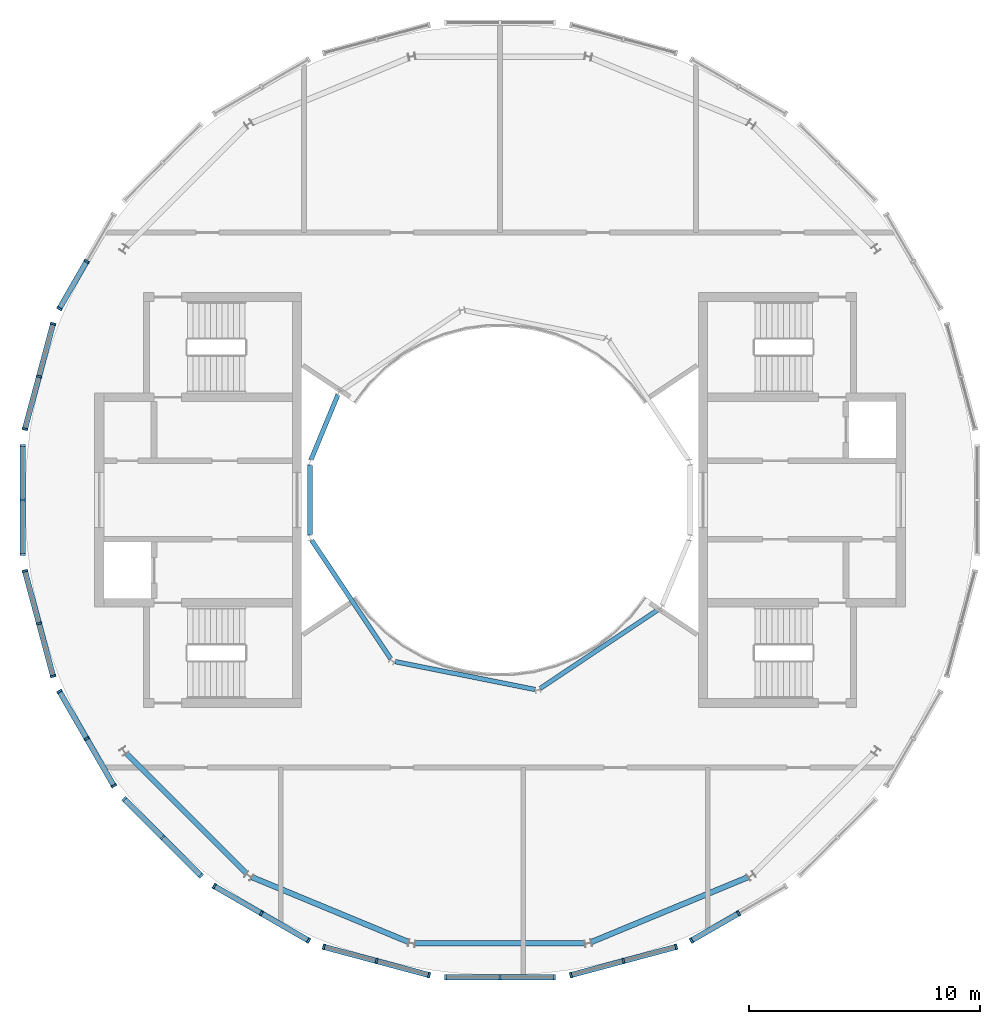
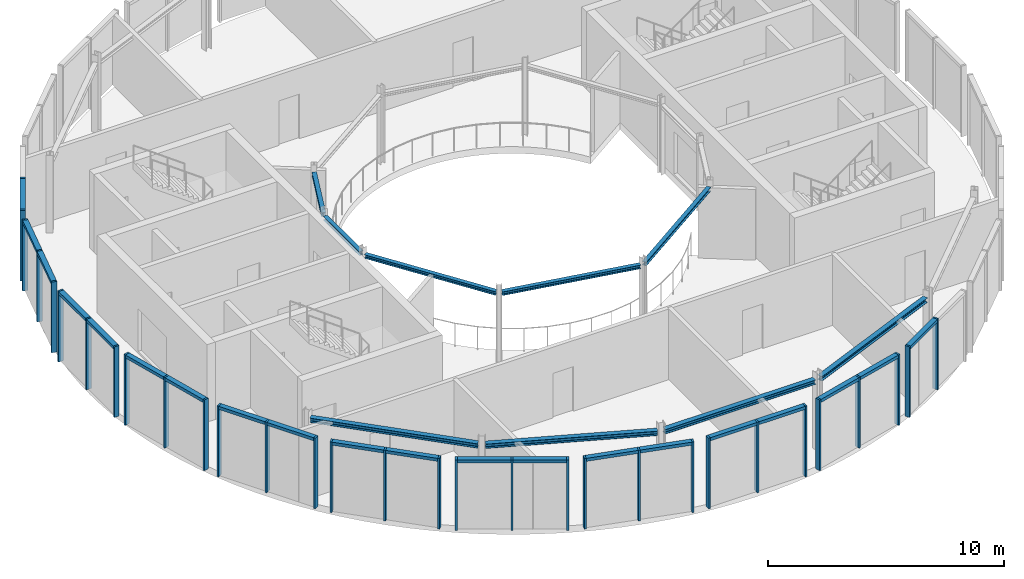
# One storey, part 4 of 12: 51 members, 9 beams, 11 elements without a shape of their own.
"""IFC4 building model written with IfcOpenShell, lengths in metres."""

from ifc_helpers import new_model, si_unit, direction, frame, origin, origin_2d, place, context, subcontext, project, spatial, rectangle, i_section, extrude, material, layer, layer_set, material_profile, profile_set, type_object, element, aggregate, save


model = new_model("IFC4")

# Units and contexts
model_context = context("Model", 3, precision=1e-05, world=origin(), true_north=direction((0.0, 1.0)))
body_context = subcontext(model_context, "Body", "Model", "MODEL_VIEW")
ifc_project = project(units=[si_unit("LENGTHUNIT", "METRE"), si_unit("AREAUNIT", "SQUARE_METRE"), si_unit("VOLUMEUNIT", "CUBIC_METRE"), si_unit("PLANEANGLEUNIT", "RADIAN"), si_unit("MASSUNIT", "GRAM", prefix="KILO")], contexts=[model_context])

# Site, building, storey
site_placement = place(None, origin())
site = spatial("IfcSite", under=ifc_project, at=site_placement, CompositionType="ELEMENT")
building_placement = place(site_placement, origin())
building = spatial("IfcBuilding", under=site, at=building_placement, Name="Maasbend Ring Residences", CompositionType="ELEMENT")
storey_placement = place(building_placement, frame((0.0, 0.0, 261.5)))
storey = spatial("IfcBuildingStorey", under=building, at=storey_placement, Name="L75", CompositionType="ELEMENT", Elevation=261.5)

# Curtain wall, members
ifc_material_1 = material(Name="Aluminium and clear glass", Category="aluminium")
ifc_layer = layer(ifc_material_1, 0.239990234375)
ifc_layer_set = layer_set([ifc_layer], Name="CW-CN")
curtain_wall_type = type_object("IfcCurtainWallType", Name="CW-CN", PredefinedType="NOTDEFINED", material=ifc_layer_set)
curtain_wall_1_placement = place(storey_placement, origin())
curtain_wall_1 = element("IfcCurtainWall", 1, at=curtain_wall_1_placement, inside=storey, type_object=curtain_wall_type, Name="Crown drum glazing 10 L75", PredefinedType="NOTDEFINED")
ifc_material_2 = material(Name="Aluminium 6063-T6", Category="aluminium")
ifc_material_profile_1 = material_profile(ifc_material_2, rectangle(XDim=0.239990234375, YDim=0.090087890625, at=origin_2d()), Name="AL 240x90")
ifc_profile_set_1 = profile_set([ifc_material_profile_1], Name="Aluminium 6063-T6")
member_type_1 = type_object("IfcMemberType", Name="CWM-CN", PredefinedType="MULLION", material=ifc_profile_set_1)
member_1_placement = place(storey_placement, frame((-17.91943359375, 10.345703125, 0.0), z_axis=(0.0, 0.0, 1.0), x_axis=(0.866025403784, -0.5, 0.0)))
member_1 = element("IfcMember", 2, at=member_1_placement, type_object=member_type_1, Name="Mullion crown cone", PredefinedType="MULLION", context=body_context, shape_type="SweptSolid", body=[
    extrude(rectangle(XDim=0.239990234375, YDim=0.090087890625, at=origin_2d()), origin(), (0.0, 0.0, 1.0), 3.64990234375),
])
member_2_placement = place(storey_placement, frame((-19.098876953125, 8.302734375, 0.0), z_axis=(0.0, 0.0, 1.0), x_axis=(0.866025403784, -0.5, 0.0)))
member_2 = element("IfcMember", 3, at=member_2_placement, type_object=member_type_1, Name="Mullion crown cone", PredefinedType="MULLION", context=body_context, shape_type="SweptSolid", body=[
    extrude(rectangle(XDim=0.239990234375, YDim=0.090087890625, at=origin_2d()), origin(), (0.0, 0.0, 1.0), 3.64990234375),
])

curtain_wall_2_placement = place(storey_placement, origin())
curtain_wall_2 = element("IfcCurtainWall", 4, at=curtain_wall_2_placement, inside=storey, type_object=curtain_wall_type, Name="Crown drum glazing 11 L75", PredefinedType="NOTDEFINED")
member_3_placement = place(storey_placement, frame((-19.375732421875, 7.634033203125, 0.0), z_axis=(0.0, 0.0, 1.0), x_axis=(0.965925826289, -0.258819045103, 0.0)))
member_3 = element("IfcMember", 5, at=member_3_placement, type_object=member_type_1, Name="Mullion crown cone", PredefinedType="MULLION", context=body_context, shape_type="SweptSolid", body=[
    extrude(rectangle(XDim=0.239990234375, YDim=0.090087890625, at=origin_2d()), origin(), (0.0, 0.0, 1.0), 3.64990234375),
])
member_4_placement = place(storey_placement, frame((-19.986328125, 5.355224609375, 0.0), z_axis=(0.0, 0.0, 1.0), x_axis=(0.965925826289, -0.258819045103, 0.0)))
member_4 = element("IfcMember", 6, at=member_4_placement, type_object=member_type_1, Name="Mullion crown cone", PredefinedType="MULLION", context=body_context, shape_type="SweptSolid", body=[
    extrude(rectangle(XDim=0.239990234375, YDim=0.090087890625, at=origin_2d()), origin(), (0.0, 0.0, 1.0), 3.64990234375),
])
member_5_placement = place(storey_placement, frame((-20.596923828125, 3.07666015625, 0.0), z_axis=(0.0, 0.0, 1.0), x_axis=(0.965925826289, -0.258819045103, 0.0)))
member_5 = element("IfcMember", 7, at=member_5_placement, type_object=member_type_1, Name="Mullion crown cone", PredefinedType="MULLION", context=body_context, shape_type="SweptSolid", body=[
    extrude(rectangle(XDim=0.239990234375, YDim=0.090087890625, at=origin_2d()), origin(), (0.0, 0.0, 1.0), 3.64990234375),
])

curtain_wall_3_placement = place(storey_placement, origin())
curtain_wall_3 = element("IfcCurtainWall", 8, at=curtain_wall_3_placement, inside=storey, type_object=curtain_wall_type, Name="Crown drum glazing 12 L75", PredefinedType="NOTDEFINED")
member_6_placement = place(storey_placement, frame((-20.69140625, 2.359130859375, 0.0), z_axis=(0.0, 0.0, 1.0), x_axis=(1.0, 0.0, 0.0)))
member_6 = element("IfcMember", 9, at=member_6_placement, type_object=member_type_1, Name="Mullion crown cone", PredefinedType="MULLION", context=body_context, shape_type="SweptSolid", body=[
    extrude(rectangle(XDim=0.239990234375, YDim=0.090087890625, at=origin_2d()), origin(), (0.0, 0.0, 1.0), 3.64990234375),
])
member_7_placement = place(storey_placement, frame((-20.69140625, 0.0, 0.0), z_axis=(0.0, 0.0, 1.0), x_axis=(1.0, 0.0, 0.0)))
member_7 = element("IfcMember", 10, at=member_7_placement, type_object=member_type_1, Name="Mullion crown cone", PredefinedType="MULLION", context=body_context, shape_type="SweptSolid", body=[
    extrude(rectangle(XDim=0.239990234375, YDim=0.090087890625, at=origin_2d()), origin(), (0.0, 0.0, 1.0), 3.64990234375),
])
member_8_placement = place(storey_placement, frame((-20.69140625, -2.359130859375, 0.0), z_axis=(0.0, 0.0, 1.0), x_axis=(1.0, 0.0, 0.0)))
member_8 = element("IfcMember", 11, at=member_8_placement, type_object=member_type_1, Name="Mullion crown cone", PredefinedType="MULLION", context=body_context, shape_type="SweptSolid", body=[
    extrude(rectangle(XDim=0.239990234375, YDim=0.090087890625, at=origin_2d()), origin(), (0.0, 0.0, 1.0), 3.64990234375),
])

curtain_wall_4_placement = place(storey_placement, origin())
curtain_wall_4 = element("IfcCurtainWall", 12, at=curtain_wall_4_placement, inside=storey, type_object=curtain_wall_type, Name="Crown drum glazing 13 L75", PredefinedType="NOTDEFINED")
member_9_placement = place(storey_placement, frame((-20.596923828125, -3.07666015625, 0.0), z_axis=(0.0, 0.0, 1.0), x_axis=(0.965925826289, 0.258819045103, 0.0)))
member_9 = element("IfcMember", 13, at=member_9_placement, type_object=member_type_1, Name="Mullion crown cone", PredefinedType="MULLION", context=body_context, shape_type="SweptSolid", body=[
    extrude(rectangle(XDim=0.239990234375, YDim=0.090087890625, at=origin_2d()), origin(), (0.0, 0.0, 1.0), 3.64990234375),
])
member_10_placement = place(storey_placement, frame((-19.986328125, -5.355224609375, 0.0), z_axis=(0.0, 0.0, 1.0), x_axis=(0.965925826289, 0.258819045103, 0.0)))
member_10 = element("IfcMember", 14, at=member_10_placement, type_object=member_type_1, Name="Mullion crown cone", PredefinedType="MULLION", context=body_context, shape_type="SweptSolid", body=[
    extrude(rectangle(XDim=0.239990234375, YDim=0.090087890625, at=origin_2d()), origin(), (0.0, 0.0, 1.0), 3.64990234375),
])
member_11_placement = place(storey_placement, frame((-19.375732421875, -7.634033203125, 0.0), z_axis=(0.0, 0.0, 1.0), x_axis=(0.965925826289, 0.258819045103, 0.0)))
member_11 = element("IfcMember", 15, at=member_11_placement, type_object=member_type_1, Name="Mullion crown cone", PredefinedType="MULLION", context=body_context, shape_type="SweptSolid", body=[
    extrude(rectangle(XDim=0.239990234375, YDim=0.090087890625, at=origin_2d()), origin(), (0.0, 0.0, 1.0), 3.64990234375),
])

curtain_wall_5_placement = place(storey_placement, origin())
curtain_wall_5 = element("IfcCurtainWall", 16, at=curtain_wall_5_placement, inside=storey, type_object=curtain_wall_type, Name="Crown drum glazing 14 L75", PredefinedType="NOTDEFINED")
member_12_placement = place(storey_placement, frame((-19.098876953125, -8.302734375, 0.0), z_axis=(0.0, 0.0, 1.0), x_axis=(0.866025403784, 0.5, 0.0)))
member_12 = element("IfcMember", 17, at=member_12_placement, type_object=member_type_1, Name="Mullion crown cone", PredefinedType="MULLION", context=body_context, shape_type="SweptSolid", body=[
    extrude(rectangle(XDim=0.239990234375, YDim=0.090087890625, at=origin_2d()), origin(), (0.0, 0.0, 1.0), 3.64990234375),
])
member_13_placement = place(storey_placement, frame((-17.91943359375, -10.345703125, 0.0), z_axis=(0.0, 0.0, 1.0), x_axis=(0.866025403784, 0.5, 0.0)))
member_13 = element("IfcMember", 18, at=member_13_placement, type_object=member_type_1, Name="Mullion crown cone", PredefinedType="MULLION", context=body_context, shape_type="SweptSolid", body=[
    extrude(rectangle(XDim=0.239990234375, YDim=0.090087890625, at=origin_2d()), origin(), (0.0, 0.0, 1.0), 3.64990234375),
])
member_14_placement = place(storey_placement, frame((-16.73974609375, -12.388671875, 0.0), z_axis=(0.0, 0.0, 1.0), x_axis=(0.866025403784, 0.5, 0.0)))
member_14 = element("IfcMember", 19, at=member_14_placement, type_object=member_type_1, Name="Mullion crown cone", PredefinedType="MULLION", context=body_context, shape_type="SweptSolid", body=[
    extrude(rectangle(XDim=0.239990234375, YDim=0.090087890625, at=origin_2d()), origin(), (0.0, 0.0, 1.0), 3.64990234375),
])

curtain_wall_6_placement = place(storey_placement, origin())
curtain_wall_6 = element("IfcCurtainWall", 20, at=curtain_wall_6_placement, inside=storey, type_object=curtain_wall_type, Name="Crown drum glazing 15 L75", PredefinedType="NOTDEFINED")
member_15_placement = place(storey_placement, frame((-16.299072265625, -12.962890625, 0.0), z_axis=(0.0, 0.0, 1.0), x_axis=(0.707106781187, 0.707106781187, 0.0)))
member_15 = element("IfcMember", 21, at=member_15_placement, type_object=member_type_1, Name="Mullion crown cone", PredefinedType="MULLION", context=body_context, shape_type="SweptSolid", body=[
    extrude(rectangle(XDim=0.239990234375, YDim=0.090087890625, at=origin_2d()), origin(), (0.0, 0.0, 1.0), 3.64990234375),
])
member_16_placement = place(storey_placement, frame((-14.631103515625, -14.631103515625, 0.0), z_axis=(0.0, 0.0, 1.0), x_axis=(0.707106781187, 0.707106781187, 0.0)))
member_16 = element("IfcMember", 22, at=member_16_placement, type_object=member_type_1, Name="Mullion crown cone", PredefinedType="MULLION", context=body_context, shape_type="SweptSolid", body=[
    extrude(rectangle(XDim=0.239990234375, YDim=0.090087890625, at=origin_2d()), origin(), (0.0, 0.0, 1.0), 3.64990234375),
])
member_17_placement = place(storey_placement, frame((-12.962890625, -16.299072265625, 0.0), z_axis=(0.0, 0.0, 1.0), x_axis=(0.707106781187, 0.707106781187, 0.0)))
member_17 = element("IfcMember", 23, at=member_17_placement, type_object=member_type_1, Name="Mullion crown cone", PredefinedType="MULLION", context=body_context, shape_type="SweptSolid", body=[
    extrude(rectangle(XDim=0.239990234375, YDim=0.090087890625, at=origin_2d()), origin(), (0.0, 0.0, 1.0), 3.64990234375),
])

curtain_wall_7_placement = place(storey_placement, origin())
curtain_wall_7 = element("IfcCurtainWall", 24, at=curtain_wall_7_placement, inside=storey, type_object=curtain_wall_type, Name="Crown drum glazing 16 L75", PredefinedType="NOTDEFINED")
member_18_placement = place(storey_placement, frame((-12.388671875, -16.73974609375, 0.0), z_axis=(0.0, 0.0, 1.0), x_axis=(0.5, 0.866025403784, 0.0)))
member_18 = element("IfcMember", 25, at=member_18_placement, type_object=member_type_1, Name="Mullion crown cone", PredefinedType="MULLION", context=body_context, shape_type="SweptSolid", body=[
    extrude(rectangle(XDim=0.239990234375, YDim=0.090087890625, at=origin_2d()), origin(), (0.0, 0.0, 1.0), 3.64990234375),
])
member_19_placement = place(storey_placement, frame((-10.345703125, -17.91943359375, 0.0), z_axis=(0.0, 0.0, 1.0), x_axis=(0.5, 0.866025403784, 0.0)))
member_19 = element("IfcMember", 26, at=member_19_placement, type_object=member_type_1, Name="Mullion crown cone", PredefinedType="MULLION", context=body_context, shape_type="SweptSolid", body=[
    extrude(rectangle(XDim=0.239990234375, YDim=0.090087890625, at=origin_2d()), origin(), (0.0, 0.0, 1.0), 3.64990234375),
])
member_20_placement = place(storey_placement, frame((-8.302734375, -19.098876953125, 0.0), z_axis=(0.0, 0.0, 1.0), x_axis=(0.5, 0.866025403784, 0.0)))
member_20 = element("IfcMember", 27, at=member_20_placement, type_object=member_type_1, Name="Mullion crown cone", PredefinedType="MULLION", context=body_context, shape_type="SweptSolid", body=[
    extrude(rectangle(XDim=0.239990234375, YDim=0.090087890625, at=origin_2d()), origin(), (0.0, 0.0, 1.0), 3.64990234375),
])

curtain_wall_8_placement = place(storey_placement, origin())
curtain_wall_8 = element("IfcCurtainWall", 28, at=curtain_wall_8_placement, inside=storey, type_object=curtain_wall_type, Name="Crown drum glazing 17 L75", PredefinedType="NOTDEFINED")
member_21_placement = place(storey_placement, frame((-7.634033203125, -19.375732421875, 0.0), z_axis=(0.0, 0.0, 1.0), x_axis=(0.258819045103, 0.965925826289, 0.0)))
member_21 = element("IfcMember", 29, at=member_21_placement, type_object=member_type_1, Name="Mullion crown cone", PredefinedType="MULLION", context=body_context, shape_type="SweptSolid", body=[
    extrude(rectangle(XDim=0.239990234375, YDim=0.090087890625, at=origin_2d()), origin(), (0.0, 0.0, 1.0), 3.64990234375),
])
member_22_placement = place(storey_placement, frame((-5.355224609375, -19.986328125, 0.0), z_axis=(0.0, 0.0, 1.0), x_axis=(0.258819045103, 0.965925826289, 0.0)))
member_22 = element("IfcMember", 30, at=member_22_placement, type_object=member_type_1, Name="Mullion crown cone", PredefinedType="MULLION", context=body_context, shape_type="SweptSolid", body=[
    extrude(rectangle(XDim=0.239990234375, YDim=0.090087890625, at=origin_2d()), origin(), (0.0, 0.0, 1.0), 3.64990234375),
])
member_23_placement = place(storey_placement, frame((-3.07666015625, -20.596923828125, 0.0), z_axis=(0.0, 0.0, 1.0), x_axis=(0.258819045103, 0.965925826289, 0.0)))
member_23 = element("IfcMember", 31, at=member_23_placement, type_object=member_type_1, Name="Mullion crown cone", PredefinedType="MULLION", context=body_context, shape_type="SweptSolid", body=[
    extrude(rectangle(XDim=0.239990234375, YDim=0.090087890625, at=origin_2d()), origin(), (0.0, 0.0, 1.0), 3.64990234375),
])

curtain_wall_9_placement = place(storey_placement, origin())
curtain_wall_9 = element("IfcCurtainWall", 32, at=curtain_wall_9_placement, inside=storey, type_object=curtain_wall_type, Name="Crown drum glazing 18 L75", PredefinedType="NOTDEFINED")
member_24_placement = place(storey_placement, frame((-2.359130859375, -20.69140625, 0.0), z_axis=(0.0, 0.0, 1.0), x_axis=(0.0, 1.0, 0.0)))
member_24 = element("IfcMember", 33, at=member_24_placement, type_object=member_type_1, Name="Mullion crown cone", PredefinedType="MULLION", context=body_context, shape_type="SweptSolid", body=[
    extrude(rectangle(XDim=0.239990234375, YDim=0.090087890625, at=origin_2d()), origin(), (0.0, 0.0, 1.0), 3.64990234375),
])
member_25_placement = place(storey_placement, frame((0.0, -20.69140625, 0.0), z_axis=(0.0, 0.0, 1.0), x_axis=(0.0, 1.0, 0.0)))
member_25 = element("IfcMember", 34, at=member_25_placement, type_object=member_type_1, Name="Mullion crown cone", PredefinedType="MULLION", context=body_context, shape_type="SweptSolid", body=[
    extrude(rectangle(XDim=0.239990234375, YDim=0.090087890625, at=origin_2d()), origin(), (0.0, 0.0, 1.0), 3.64990234375),
])
member_26_placement = place(storey_placement, frame((2.359130859375, -20.69140625, 0.0), z_axis=(0.0, 0.0, 1.0), x_axis=(0.0, 1.0, 0.0)))
member_26 = element("IfcMember", 35, at=member_26_placement, type_object=member_type_1, Name="Mullion crown cone", PredefinedType="MULLION", context=body_context, shape_type="SweptSolid", body=[
    extrude(rectangle(XDim=0.239990234375, YDim=0.090087890625, at=origin_2d()), origin(), (0.0, 0.0, 1.0), 3.64990234375),
])

curtain_wall_10_placement = place(storey_placement, origin())
curtain_wall_10 = element("IfcCurtainWall", 36, at=curtain_wall_10_placement, inside=storey, type_object=curtain_wall_type, Name="Crown drum glazing 19 L75", PredefinedType="NOTDEFINED")
member_27_placement = place(storey_placement, frame((3.07666015625, -20.596923828125, 0.0), z_axis=(0.0, 0.0, 1.0), x_axis=(-0.258819045103, 0.965925826289, 0.0)))
member_27 = element("IfcMember", 37, at=member_27_placement, type_object=member_type_1, Name="Mullion crown cone", PredefinedType="MULLION", context=body_context, shape_type="SweptSolid", body=[
    extrude(rectangle(XDim=0.239990234375, YDim=0.090087890625, at=origin_2d()), origin(), (0.0, 0.0, 1.0), 3.64990234375),
])
member_28_placement = place(storey_placement, frame((5.355224609375, -19.986328125, 0.0), z_axis=(0.0, 0.0, 1.0), x_axis=(-0.258819045103, 0.965925826289, 0.0)))
member_28 = element("IfcMember", 38, at=member_28_placement, type_object=member_type_1, Name="Mullion crown cone", PredefinedType="MULLION", context=body_context, shape_type="SweptSolid", body=[
    extrude(rectangle(XDim=0.239990234375, YDim=0.090087890625, at=origin_2d()), origin(), (0.0, 0.0, 1.0), 3.64990234375),
])
member_29_placement = place(storey_placement, frame((7.634033203125, -19.375732421875, 0.0), z_axis=(0.0, 0.0, 1.0), x_axis=(-0.258819045103, 0.965925826289, 0.0)))
member_29 = element("IfcMember", 39, at=member_29_placement, type_object=member_type_1, Name="Mullion crown cone", PredefinedType="MULLION", context=body_context, shape_type="SweptSolid", body=[
    extrude(rectangle(XDim=0.239990234375, YDim=0.090087890625, at=origin_2d()), origin(), (0.0, 0.0, 1.0), 3.64990234375),
])

curtain_wall_11_placement = place(storey_placement, origin())
curtain_wall_11 = element("IfcCurtainWall", 40, at=curtain_wall_11_placement, inside=storey, type_object=curtain_wall_type, Name="Crown drum glazing 20 L75", PredefinedType="NOTDEFINED")
member_30_placement = place(storey_placement, frame((8.302734375, -19.098876953125, 0.0), z_axis=(0.0, 0.0, 1.0), x_axis=(-0.5, 0.866025403784, 0.0)))
member_30 = element("IfcMember", 41, at=member_30_placement, type_object=member_type_1, Name="Mullion crown cone", PredefinedType="MULLION", context=body_context, shape_type="SweptSolid", body=[
    extrude(rectangle(XDim=0.239990234375, YDim=0.090087890625, at=origin_2d()), origin(), (0.0, 0.0, 1.0), 3.64990234375),
])
member_31_placement = place(storey_placement, frame((10.345703125, -17.91943359375, 0.0), z_axis=(0.0, 0.0, 1.0), x_axis=(-0.5, 0.866025403784, 0.0)))
member_31 = element("IfcMember", 42, at=member_31_placement, type_object=member_type_1, Name="Mullion crown cone", PredefinedType="MULLION", context=body_context, shape_type="SweptSolid", body=[
    extrude(rectangle(XDim=0.239990234375, YDim=0.090087890625, at=origin_2d()), origin(), (0.0, 0.0, 1.0), 3.64990234375),
])

# Member
ifc_material_3 = material(Name="Aluminium 6063-T6", Category="aluminium")
ifc_material_profile_2 = material_profile(ifc_material_3, rectangle(XDim=0.239990234375, YDim=0.159912109375, at=origin_2d()), Name="AL 240x160")
ifc_profile_set_2 = profile_set([ifc_material_profile_2], Name="Aluminium 6063-T6")
member_type_2 = type_object("IfcMemberType", Name="CWT-CN", PredefinedType="USERDEFINED", material=ifc_profile_set_2)
member_32_placement = place(storey_placement, frame((-17.94189453125, 10.306640625, 3.570068359375), z_axis=(-0.49999255039, -0.866029704776, 0.0), x_axis=(0.866029704776, -0.49999255039, 0.0)))
member_32 = element("IfcMember", 43, at=member_32_placement, type_object=member_type_2, Name="Transom crown cone", ObjectType="TRANSOM", PredefinedType="USERDEFINED", context=body_context, shape_type="SweptSolid", body=[
    extrude(rectangle(XDim=0.239990234375, YDim=0.159912109375, at=origin_2d()), origin(), (0.0, 0.0, 1.0), 2.26904296875),
])

aggregate(curtain_wall_1, [member_1, member_2, member_32])

member_33_placement = place(storey_placement, frame((-19.387451171875, 7.590576171875, 3.570068359375), z_axis=(-0.258881296667, -0.965909143883, 0.0), x_axis=(0.965909143883, -0.258881296667, 0.0)))
member_33 = element("IfcMember", 44, at=member_33_placement, type_object=member_type_2, Name="Transom crown cone", ObjectType="TRANSOM", PredefinedType="USERDEFINED", context=body_context, shape_type="SweptSolid", body=[
    extrude(rectangle(XDim=0.239990234375, YDim=0.159912109375, at=origin_2d()), origin(), (0.0, 0.0, 1.0), 2.26904296875),
])

member_34_placement = place(storey_placement, frame((-19.998046875, 5.311767578125, 3.570068359375), z_axis=(-0.258881296667, -0.965909143883, 0.0), x_axis=(0.965909143883, -0.258881296667, 0.0)))
member_34 = element("IfcMember", 45, at=member_34_placement, type_object=member_type_2, Name="Transom crown cone", ObjectType="TRANSOM", PredefinedType="USERDEFINED", context=body_context, shape_type="SweptSolid", body=[
    extrude(rectangle(XDim=0.239990234375, YDim=0.159912109375, at=origin_2d()), origin(), (0.0, 0.0, 1.0), 2.26904296875),
])

aggregate(curtain_wall_2, [member_3, member_4, member_5, member_33, member_34])

member_35_placement = place(storey_placement, frame((-20.69140625, 2.31396484375, 3.570068359375), z_axis=(0.0, -1.0, 0.0), x_axis=(1.0, 0.0, 0.0)))
member_35 = element("IfcMember", 46, at=member_35_placement, type_object=member_type_2, Name="Transom crown cone", ObjectType="TRANSOM", PredefinedType="USERDEFINED", context=body_context, shape_type="SweptSolid", body=[
    extrude(rectangle(XDim=0.239990234375, YDim=0.159912109375, at=origin_2d()), origin(), (0.0, 0.0, 1.0), 2.26904296875),
])

member_36_placement = place(storey_placement, frame((-20.69140625, -0.044921875, 3.570068359375), z_axis=(0.0, -1.0, 0.0), x_axis=(1.0, 0.0, 0.0)))
member_36 = element("IfcMember", 47, at=member_36_placement, type_object=member_type_2, Name="Transom crown cone", ObjectType="TRANSOM", PredefinedType="USERDEFINED", context=body_context, shape_type="SweptSolid", body=[
    extrude(rectangle(XDim=0.239990234375, YDim=0.159912109375, at=origin_2d()), origin(), (0.0, 0.0, 1.0), 2.26904296875),
])

aggregate(curtain_wall_3, [member_6, member_7, member_8, member_35, member_36])

member_37_placement = place(storey_placement, frame((-20.58544921875, -3.1201171875, 3.570068359375), z_axis=(0.258881296667, -0.965909143883, 0.0), x_axis=(0.965909143883, 0.258881296667, 0.0)))
member_37 = element("IfcMember", 48, at=member_37_placement, type_object=member_type_2, Name="Transom crown cone", ObjectType="TRANSOM", PredefinedType="USERDEFINED", context=body_context, shape_type="SweptSolid", body=[
    extrude(rectangle(XDim=0.239990234375, YDim=0.159912109375, at=origin_2d()), origin(), (0.0, 0.0, 1.0), 2.26904296875),
])

member_38_placement = place(storey_placement, frame((-19.974853515625, -5.39892578125, 3.570068359375), z_axis=(0.258881296667, -0.965909143883, 0.0), x_axis=(0.965909143883, 0.258881296667, 0.0)))
member_38 = element("IfcMember", 49, at=member_38_placement, type_object=member_type_2, Name="Transom crown cone", ObjectType="TRANSOM", PredefinedType="USERDEFINED", context=body_context, shape_type="SweptSolid", body=[
    extrude(rectangle(XDim=0.239990234375, YDim=0.159912109375, at=origin_2d()), origin(), (0.0, 0.0, 1.0), 2.26904296875),
])

aggregate(curtain_wall_4, [member_9, member_10, member_11, member_37, member_38])

member_39_placement = place(storey_placement, frame((-19.076416015625, -8.341552734375, 3.570068359375), z_axis=(0.49999255039, -0.866029704776, 0.0), x_axis=(0.866029704776, 0.49999255039, 0.0)))
member_39 = element("IfcMember", 50, at=member_39_placement, type_object=member_type_2, Name="Transom crown cone", ObjectType="TRANSOM", PredefinedType="USERDEFINED", context=body_context, shape_type="SweptSolid", body=[
    extrude(rectangle(XDim=0.239990234375, YDim=0.159912109375, at=origin_2d()), origin(), (0.0, 0.0, 1.0), 2.26904296875),
])

member_40_placement = place(storey_placement, frame((-17.896728515625, -10.384765625, 3.570068359375), z_axis=(0.49999255039, -0.866029704776, 0.0), x_axis=(0.866029704776, 0.49999255039, 0.0)))
member_40 = element("IfcMember", 51, at=member_40_placement, type_object=member_type_2, Name="Transom crown cone", ObjectType="TRANSOM", PredefinedType="USERDEFINED", context=body_context, shape_type="SweptSolid", body=[
    extrude(rectangle(XDim=0.239990234375, YDim=0.159912109375, at=origin_2d()), origin(), (0.0, 0.0, 1.0), 2.26904296875),
])

aggregate(curtain_wall_5, [member_12, member_13, member_14, member_39, member_40])

member_41_placement = place(storey_placement, frame((-16.267333984375, -12.994873046875, 3.570068359375), z_axis=(0.707106781187, -0.707106781187, 0.0), x_axis=(0.707106781187, 0.707106781187, 0.0)))
member_41 = element("IfcMember", 52, at=member_41_placement, type_object=member_type_2, Name="Transom crown cone", ObjectType="TRANSOM", PredefinedType="USERDEFINED", context=body_context, shape_type="SweptSolid", body=[
    extrude(rectangle(XDim=0.239990234375, YDim=0.159912109375, at=origin_2d()), origin(), (0.0, 0.0, 1.0), 2.26904296875),
])

member_42_placement = place(storey_placement, frame((-14.599365234375, -14.662841796875, 3.570068359375), z_axis=(0.707106781187, -0.707106781187, 0.0), x_axis=(0.707106781187, 0.707106781187, 0.0)))
member_42 = element("IfcMember", 53, at=member_42_placement, type_object=member_type_2, Name="Transom crown cone", ObjectType="TRANSOM", PredefinedType="USERDEFINED", context=body_context, shape_type="SweptSolid", body=[
    extrude(rectangle(XDim=0.239990234375, YDim=0.159912109375, at=origin_2d()), origin(), (0.0, 0.0, 1.0), 2.26904296875),
])

aggregate(curtain_wall_6, [member_15, member_16, member_17, member_41, member_42])

member_43_placement = place(storey_placement, frame((-12.349853515625, -16.76220703125, 3.570068359375), z_axis=(0.866029704776, -0.49999255039, 0.0), x_axis=(0.49999255039, 0.866029704776, 0.0)))
member_43 = element("IfcMember", 54, at=member_43_placement, type_object=member_type_2, Name="Transom crown cone", ObjectType="TRANSOM", PredefinedType="USERDEFINED", context=body_context, shape_type="SweptSolid", body=[
    extrude(rectangle(XDim=0.239990234375, YDim=0.159912109375, at=origin_2d()), origin(), (0.0, 0.0, 1.0), 2.26904296875),
])

member_44_placement = place(storey_placement, frame((-10.306640625, -17.94189453125, 3.570068359375), z_axis=(0.866029704776, -0.49999255039, 0.0), x_axis=(0.49999255039, 0.866029704776, 0.0)))
member_44 = element("IfcMember", 55, at=member_44_placement, type_object=member_type_2, Name="Transom crown cone", ObjectType="TRANSOM", PredefinedType="USERDEFINED", context=body_context, shape_type="SweptSolid", body=[
    extrude(rectangle(XDim=0.239990234375, YDim=0.159912109375, at=origin_2d()), origin(), (0.0, 0.0, 1.0), 2.26904296875),
])

aggregate(curtain_wall_7, [member_18, member_19, member_20, member_43, member_44])

member_45_placement = place(storey_placement, frame((-7.590576171875, -19.387451171875, 3.570068359375), z_axis=(0.965909143883, -0.258881296667, 0.0), x_axis=(0.258881296667, 0.965909143883, 0.0)))
member_45 = element("IfcMember", 56, at=member_45_placement, type_object=member_type_2, Name="Transom crown cone", ObjectType="TRANSOM", PredefinedType="USERDEFINED", context=body_context, shape_type="SweptSolid", body=[
    extrude(rectangle(XDim=0.239990234375, YDim=0.159912109375, at=origin_2d()), origin(), (0.0, 0.0, 1.0), 2.26904296875),
])

member_46_placement = place(storey_placement, frame((-5.311767578125, -19.998046875, 3.570068359375), z_axis=(0.965909143883, -0.258881296667, 0.0), x_axis=(0.258881296667, 0.965909143883, 0.0)))
member_46 = element("IfcMember", 57, at=member_46_placement, type_object=member_type_2, Name="Transom crown cone", ObjectType="TRANSOM", PredefinedType="USERDEFINED", context=body_context, shape_type="SweptSolid", body=[
    extrude(rectangle(XDim=0.239990234375, YDim=0.159912109375, at=origin_2d()), origin(), (0.0, 0.0, 1.0), 2.26904296875),
])

aggregate(curtain_wall_8, [member_21, member_22, member_23, member_45, member_46])

member_47_placement = place(storey_placement, frame((-2.31396484375, -20.69140625, 3.570068359375), z_axis=(1.0, 0.0, 0.0), x_axis=(0.0, 1.0, 0.0)))
member_47 = element("IfcMember", 58, at=member_47_placement, type_object=member_type_2, Name="Transom crown cone", ObjectType="TRANSOM", PredefinedType="USERDEFINED", context=body_context, shape_type="SweptSolid", body=[
    extrude(rectangle(XDim=0.239990234375, YDim=0.159912109375, at=origin_2d()), origin(), (0.0, 0.0, 1.0), 2.26904296875),
])

member_48_placement = place(storey_placement, frame((0.044921875, -20.69140625, 3.570068359375), z_axis=(1.0, 0.0, 0.0), x_axis=(0.0, 1.0, 0.0)))
member_48 = element("IfcMember", 59, at=member_48_placement, type_object=member_type_2, Name="Transom crown cone", ObjectType="TRANSOM", PredefinedType="USERDEFINED", context=body_context, shape_type="SweptSolid", body=[
    extrude(rectangle(XDim=0.239990234375, YDim=0.159912109375, at=origin_2d()), origin(), (0.0, 0.0, 1.0), 2.26904296875),
])

aggregate(curtain_wall_9, [member_24, member_25, member_26, member_47, member_48])

member_49_placement = place(storey_placement, frame((3.1201171875, -20.58544921875, 3.570068359375), z_axis=(0.965909143883, 0.258881296667, 0.0), x_axis=(-0.258881296667, 0.965909143883, 0.0)))
member_49 = element("IfcMember", 60, at=member_49_placement, type_object=member_type_2, Name="Transom crown cone", ObjectType="TRANSOM", PredefinedType="USERDEFINED", context=body_context, shape_type="SweptSolid", body=[
    extrude(rectangle(XDim=0.239990234375, YDim=0.159912109375, at=origin_2d()), origin(), (0.0, 0.0, 1.0), 2.26904296875),
])

member_50_placement = place(storey_placement, frame((5.39892578125, -19.974853515625, 3.570068359375), z_axis=(0.965909143883, 0.258881296667, 0.0), x_axis=(-0.258881296667, 0.965909143883, 0.0)))
member_50 = element("IfcMember", 61, at=member_50_placement, type_object=member_type_2, Name="Transom crown cone", ObjectType="TRANSOM", PredefinedType="USERDEFINED", context=body_context, shape_type="SweptSolid", body=[
    extrude(rectangle(XDim=0.239990234375, YDim=0.159912109375, at=origin_2d()), origin(), (0.0, 0.0, 1.0), 2.26904296875),
])

aggregate(curtain_wall_10, [member_27, member_28, member_29, member_49, member_50])

member_51_placement = place(storey_placement, frame((8.341552734375, -19.076416015625, 3.570068359375), z_axis=(0.866029704776, 0.49999255039, 0.0), x_axis=(-0.49999255039, 0.866029704776, 0.0)))
member_51 = element("IfcMember", 62, at=member_51_placement, type_object=member_type_2, Name="Transom crown cone", ObjectType="TRANSOM", PredefinedType="USERDEFINED", context=body_context, shape_type="SweptSolid", body=[
    extrude(rectangle(XDim=0.239990234375, YDim=0.159912109375, at=origin_2d()), origin(), (0.0, 0.0, 1.0), 2.26904296875),
])

aggregate(curtain_wall_11, [member_30, member_31, member_51])

# Beams
ifc_material_4 = material(Name="Steel S355J2", Category="steel")
ifc_material_profile_3 = material_profile(ifc_material_4, i_section(OverallWidth=0.239990234375, OverallDepth=0.22998046875, WebThickness=0.007568359375, FlangeThickness=0.011962890625, FilletRadius=0.02099609375, at=origin_2d()), Name="HEA 240")
ifc_profile_set_3 = profile_set([ifc_material_profile_3], Name="Steel S355J2")
beam_type_1 = type_object("IfcBeamType", Name="Corridor ring beam HEA 240", PredefinedType="BEAM", material=ifc_profile_set_3)
beam_1_placement = place(storey_placement, frame((-16.188720703125, -10.997314453125, 3.534912109375), z_axis=(0.707106781187, -0.707106781187, 0.0), x_axis=(0.707106781187, 0.707106781187, 0.0)))
element("IfcBeam", 63, at=beam_1_placement, inside=storey, type_object=beam_type_1, Name="Corridor ring beam", PredefinedType="BEAM", context=body_context, shape_type="SweptSolid", body=[
    extrude(i_section(OverallWidth=0.239990234375, OverallDepth=0.22998046875, WebThickness=0.007568359375, FlangeThickness=0.011962890625, FilletRadius=0.02099609375, at=origin_2d()), origin(), (0.0, 0.0, 1.0), 7.341796875),
])
beam_2_placement = place(storey_placement, frame((-10.747802734375, -16.355224609375, 3.534912109375), z_axis=(0.923875784142, -0.382692481603, 0.0), x_axis=(0.382692481603, 0.923875784142, 0.0)))
element("IfcBeam", 64, at=beam_2_placement, inside=storey, type_object=beam_type_1, Name="Corridor ring beam", PredefinedType="BEAM", context=body_context, shape_type="SweptSolid", body=[
    extrude(i_section(OverallWidth=0.239990234375, OverallDepth=0.22998046875, WebThickness=0.007568359375, FlangeThickness=0.011962890625, FilletRadius=0.02099609375, at=origin_2d()), origin(), (0.0, 0.0, 1.0), 7.341552734375),
])
beam_3_placement = place(storey_placement, frame((-3.6708984375, -19.223388671875, 3.534912109375), z_axis=(1.0, 0.0, 0.0), x_axis=(0.0, 1.0, 0.0)))
element("IfcBeam", 65, at=beam_3_placement, inside=storey, type_object=beam_type_1, Name="Corridor ring beam", PredefinedType="BEAM", context=body_context, shape_type="SweptSolid", body=[
    extrude(i_section(OverallWidth=0.239990234375, OverallDepth=0.22998046875, WebThickness=0.007568359375, FlangeThickness=0.011962890625, FilletRadius=0.02099609375, at=origin_2d()), origin(), (0.0, 0.0, 1.0), 7.341796875),
])
beam_4_placement = place(storey_placement, frame((3.965087890625, -19.164794921875, 3.534912109375), z_axis=(0.923875784142, 0.382692481603, 0.0), x_axis=(-0.382692481603, 0.923875784142, 0.0)))
element("IfcBeam", 66, at=beam_4_placement, inside=storey, type_object=beam_type_1, Name="Corridor ring beam", PredefinedType="BEAM", context=body_context, shape_type="SweptSolid", body=[
    extrude(i_section(OverallWidth=0.239990234375, OverallDepth=0.22998046875, WebThickness=0.007568359375, FlangeThickness=0.011962890625, FilletRadius=0.02099609375, at=origin_2d()), origin(), (0.0, 0.0, 1.0), 7.341552734375),
])
ifc_material_5 = material(Name="Steel S355J2", Category="steel")
ifc_material_profile_4 = material_profile(ifc_material_5, i_section(OverallWidth=0.199951171875, OverallDepth=0.18994140625, WebThickness=0.006591796875, FlangeThickness=0.010009765625, FilletRadius=0.01806640625, at=origin_2d()), Name="HEA 200")
ifc_profile_set_4 = profile_set([ifc_material_profile_4], Name="Steel S355J2")
beam_type_2 = type_object("IfcBeamType", Name="Well edge beam HEA 200", PredefinedType="BEAM", material=ifc_profile_set_4)
for number, where, z_axis, x_axis, name in (
    (67, (-7.029296875, 4.55859375, 3.554931640625), (-0.382609241817, -0.923910259753, 0.0), (0.923910259753, -0.382609241817, 0.0), "Well edge beam"),
    (68, (-8.238525390625, 1.521484375, 3.554931640625), (0.0, -1.0, 0.0), (1.0, 0.0, 0.0), "Well edge beam"),
):
    element("IfcBeam", number, at=place(storey_placement, frame(where, z_axis=z_axis, x_axis=x_axis)), inside=storey, type_object=beam_type_2, Name=name, PredefinedType="BEAM", context=body_context, shape_type="SweptSolid", body=[
        extrude(i_section(OverallWidth=0.199951171875, OverallDepth=0.18994140625, WebThickness=0.006591796875, FlangeThickness=0.010009765625, FilletRadius=0.01806640625, at=origin_2d()), origin(), (0.0, 0.0, 1.0), 3.04296875),
    ])
for number, where, z_axis, x_axis, name in (
    (69, (-8.16943359375, -1.7421875, 3.554931640625), (0.555547729421, -0.831484648286, 0.0), (0.831484648286, 0.555547729421, 0.0), "Well edge beam"),
    (70, (-4.544677734375, -7.008544921875, 3.554931640625), (0.98078072474, -0.195113223486, 0.0), (0.195113223486, 0.98078072474, 0.0), "Well edge beam"),
    (71, (1.7421875, -8.16943359375, 3.554931640625), (0.831484648286, 0.555547729421, 0.0), (-0.555547729421, 0.831484648286, 0.0), "Well edge beam"),
):
    element("IfcBeam", number, at=place(storey_placement, frame(where, z_axis=z_axis, x_axis=x_axis)), inside=storey, type_object=beam_type_2, Name=name, PredefinedType="BEAM", context=body_context, shape_type="SweptSolid", body=[
        extrude(i_section(OverallWidth=0.199951171875, OverallDepth=0.18994140625, WebThickness=0.006591796875, FlangeThickness=0.010009765625, FilletRadius=0.01806640625, at=origin_2d()), origin(), (0.0, 0.0, 1.0), 6.18017578125),
    ])

save(model, "model.ifc")
